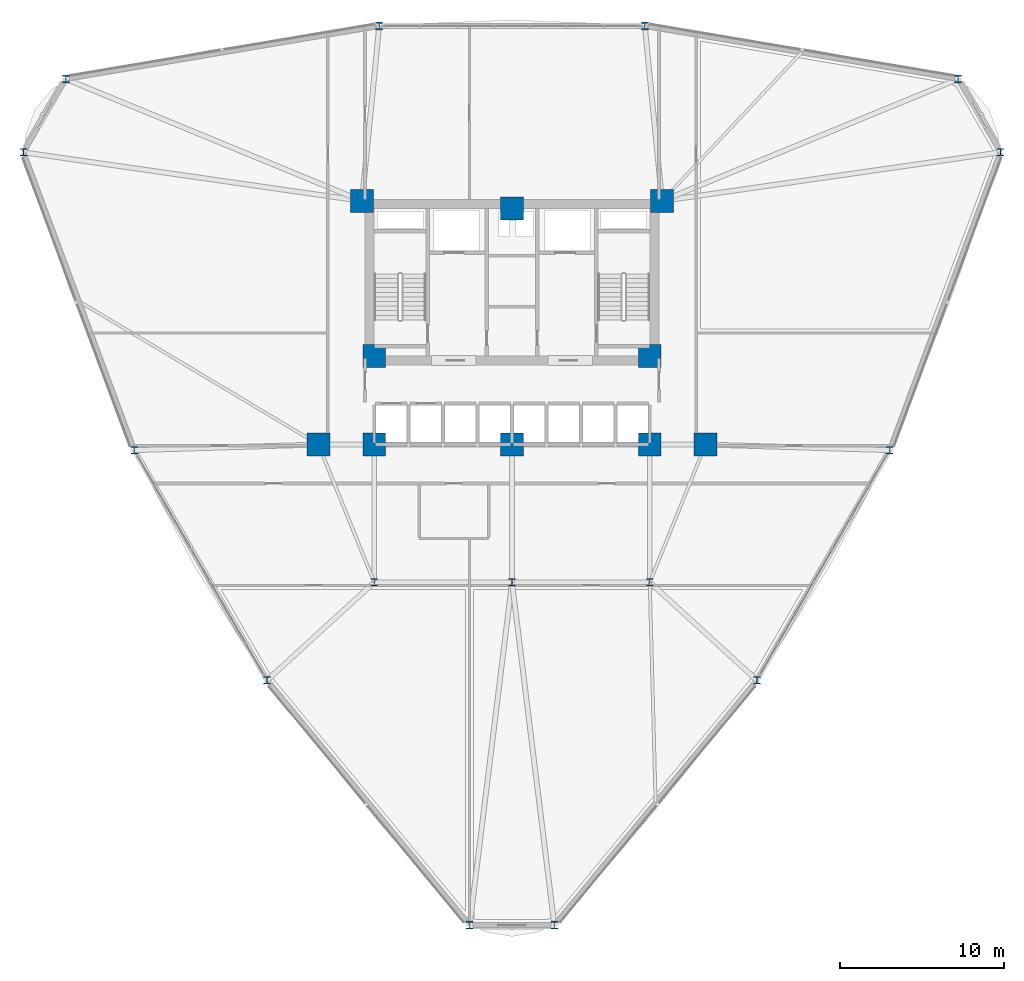
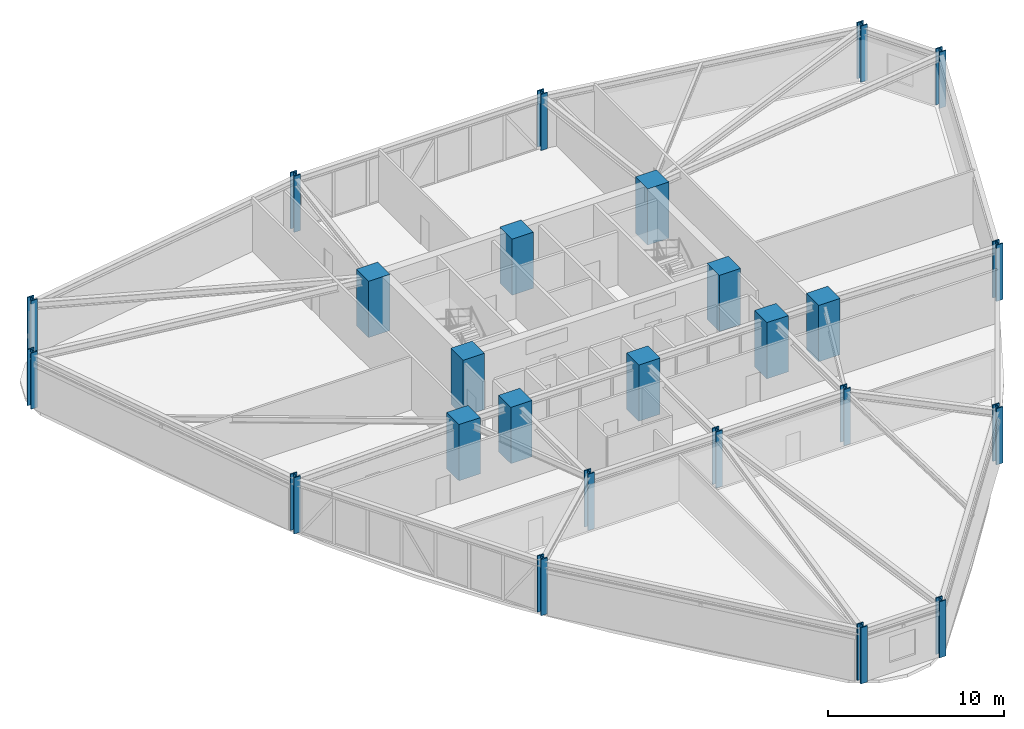
# One storey, part 1 of 21: 25 columns.
"""IFC4 building model written with IfcOpenShell, lengths in metres."""

from ifc_helpers import new_model, si_unit, derived_unit, direction, frame, origin, origin_2d, place, context, subcontext, project, spatial, rectangle, i_section, extrude, source, transform, mapped, material, material_profile, profile_set, type_object, element, save


model = new_model("IFC4")

# Units and contexts
model_context = context("Model", 3, precision=1e-05, world=origin(), true_north=direction((0.0, 1.0)))
body_context = subcontext(model_context, "Body", "Model", "MODEL_VIEW")
ifc_project = project(units=[si_unit("LENGTHUNIT", "METRE"), si_unit("AREAUNIT", "SQUARE_METRE"), si_unit("VOLUMEUNIT", "CUBIC_METRE"), si_unit("PLANEANGLEUNIT", "RADIAN"), si_unit("MASSUNIT", "GRAM", prefix="KILO"), derived_unit("THERMALTRANSMITTANCEUNIT", [(si_unit("POWERUNIT", "WATT"), 1), (si_unit("LENGTHUNIT", "METRE"), -2), (si_unit("THERMODYNAMICTEMPERATUREUNIT", "KELVIN"), -1)])], contexts=[model_context])

# Site, building, storey
site_placement = place(None, origin())
site = spatial("IfcSite", under=ifc_project, at=site_placement, CompositionType="ELEMENT")
building_placement = place(site_placement, origin())
building = spatial("IfcBuilding", under=site, at=building_placement, Name="Korsvarv Bourse and Concert Hall", CompositionType="ELEMENT")
storey_placement = place(building_placement, frame((0.0, 0.0, 27.89990234375)))
storey = spatial("IfcBuildingStorey", under=building, at=storey_placement, Name="L06", CompositionType="ELEMENT", Elevation=27.89990234375)

# Columns
ifc_material_1 = material(Name="Concrete C60/75", Category="concrete")
ifc_material_profile_1 = material_profile(ifc_material_1, rectangle(XDim=1.39990234375, YDim=1.39990234375, at=origin_2d()), Name="RC 1400x1400")
ifc_profile_set_1 = profile_set([ifc_material_profile_1], Name="Concrete C60/75")
column_type_1 = type_object("IfcColumnType", Name="COL-RC1400", PredefinedType="COLUMN", material=ifc_profile_set_1)
shared_shape_1 = source(origin(), body_context, "Body", "SweptSolid", [
    extrude(rectangle(XDim=1.39990234375, YDim=1.39990234375, at=origin_2d()), origin(), (0.0, 0.0, 1.0), 3.900146484375),
])
for number, where, z_axis, x_axis, name in (
    (1, (26.85009765625, 47.25, 0.0), (0.0, 0.0, 1.0), (1.0, 0.0, 0.0), "L06 column C-01"),
    (2, (45.14990234375, 47.25, 0.0), (0.0, 0.0, 1.0), (1.0, 0.0, 0.0), "L06 column C-01"),
    (3, (27.60009765625, 37.800048828125, 0.0), (0.0, 0.0, 1.0), (1.0, 0.0, 0.0), "L06 column C-01"),
    (4, (44.39990234375, 37.800048828125, 0.0), (0.0, 0.0, 1.0), (1.0, 0.0, 0.0), "L06 column C-01"),
    (5, (27.60009765625, 32.39990234375, 0.0), (0.0, 0.0, 1.0), (1.0, 0.0, 0.0), "L06 column C-01"),
    (6, (44.39990234375, 32.39990234375, 0.0), (0.0, 0.0, 1.0), (1.0, 0.0, 0.0), "L06 column C-01"),
    (7, (36.0, 46.800048828125, 0.0), (0.0, 0.0, 1.0), (1.0, 0.0, 0.0), "L06 column C-01"),
    (8, (36.0, 32.39990234375, 0.0), (0.0, 0.0, 1.0), (1.0, 0.0, 0.0), "L06 column C-01"),
    (9, (24.199951171875, 32.39990234375, 0.0), (0.0, 0.0, 1.0), (1.0, 0.0, 0.0), "L06 column C-01"),
    (10, (47.800048828125, 32.39990234375, 0.0), (0.0, 0.0, 1.0), (1.0, 0.0, 0.0), "L06 column C-01"),
):
    element("IfcColumn", number, at=place(storey_placement, frame(where, z_axis=z_axis, x_axis=x_axis)), inside=storey, type_object=column_type_1, Name=name, PredefinedType="COLUMN", context=body_context, shape_type="MappedRepresentation", body=[
        mapped(shared_shape_1, transform((0.0, 0.0, 0.0), scale=1.0)),
    ])
ifc_material_2 = material(Name="Steel S460", Category="steel")
ifc_material_profile_2 = material_profile(ifc_material_2, i_section(OverallWidth=0.424072265625, OverallDepth=0.47412109375, WebThickness=0.044921875, FlangeThickness=0.072021484375, FilletRadius=0.014892578125, at=origin_2d()), Name="HD 400x634")
ifc_profile_set_2 = profile_set([ifc_material_profile_2], Name="Steel S460")
column_type_2 = type_object("IfcColumnType", Name="COL-HD634", PredefinedType="COLUMN", material=ifc_profile_set_2)
shared_shape_2 = source(origin(), body_context, "Body", "SweptSolid", [
    extrude(i_section(OverallWidth=0.424072265625, OverallDepth=0.47412109375, WebThickness=0.044921875, FlangeThickness=0.072021484375, FilletRadius=0.014892578125, at=origin_2d()), origin(), (0.0, 0.0, 1.0), 3.900146484375),
])
for number, where, z_axis, x_axis, name in (
    (11, (27.60009765625, 24.0, 0.0), (0.0, 0.0, 1.0), (1.0, 0.0, 0.0), "L06 column C-07"),
    (12, (44.39990234375, 24.0, 0.0), (0.0, 0.0, 1.0), (1.0, 0.0, 0.0), "L06 column C-07"),
    (13, (36.0, 24.0, 0.0), (0.0, 0.0, 1.0), (1.0, 0.0, 0.0), "L06 column C-07"),
    (14, (65.78857421875, 50.21728515625, 0.0), (0.0, 0.0, 1.0), (1.0, 0.0, 0.0), "L06 column C-07"),
    (15, (63.206787109375, 54.689208984375, 0.0), (0.0, 0.0, 1.0), (1.0, 0.0, 0.0), "L06 column C-07"),
    (16, (44.097412109375, 57.9169921875, 0.0), (0.0, 0.0, 1.0), (1.0, 0.0, 0.0), "L06 column C-07"),
    (17, (27.902587890625, 57.9169921875, 0.0), (0.0, 0.0, 1.0), (1.0, 0.0, 0.0), "L06 column C-07"),
    (18, (8.793212890625, 54.689208984375, 0.0), (0.0, 0.0, 1.0), (1.0, 0.0, 0.0), "L06 column C-07"),
    (19, (6.21142578125, 50.21728515625, 0.0), (0.0, 0.0, 1.0), (1.0, 0.0, 0.0), "L06 column C-07"),
    (20, (12.970458984375, 32.05419921875, 0.0), (0.0, 0.0, 1.0), (1.0, 0.0, 0.0), "L06 column C-07"),
    (21, (21.06787109375, 18.02880859375, 0.0), (0.0, 0.0, 1.0), (1.0, 0.0, 0.0), "L06 column C-07"),
    (22, (33.418212890625, 3.09375, 0.0), (0.0, 0.0, 1.0), (1.0, 0.0, 0.0), "L06 column C-07"),
    (23, (38.581787109375, 3.09375, 0.0), (0.0, 0.0, 1.0), (1.0, 0.0, 0.0), "L06 column C-07"),
    (24, (50.93212890625, 18.02880859375, 0.0), (0.0, 0.0, 1.0), (1.0, 0.0, 0.0), "L06 column C-07"),
    (25, (59.029541015625, 32.05419921875, 0.0), (0.0, 0.0, 1.0), (1.0, 0.0, 0.0), "L06 column C-07"),
):
    element("IfcColumn", number, at=place(storey_placement, frame(where, z_axis=z_axis, x_axis=x_axis)), inside=storey, type_object=column_type_2, Name=name, PredefinedType="COLUMN", context=body_context, shape_type="MappedRepresentation", body=[
        mapped(shared_shape_2, transform((0.0, 0.0, 0.0), scale=1.0)),
    ])

save(model, "model.ifc")
